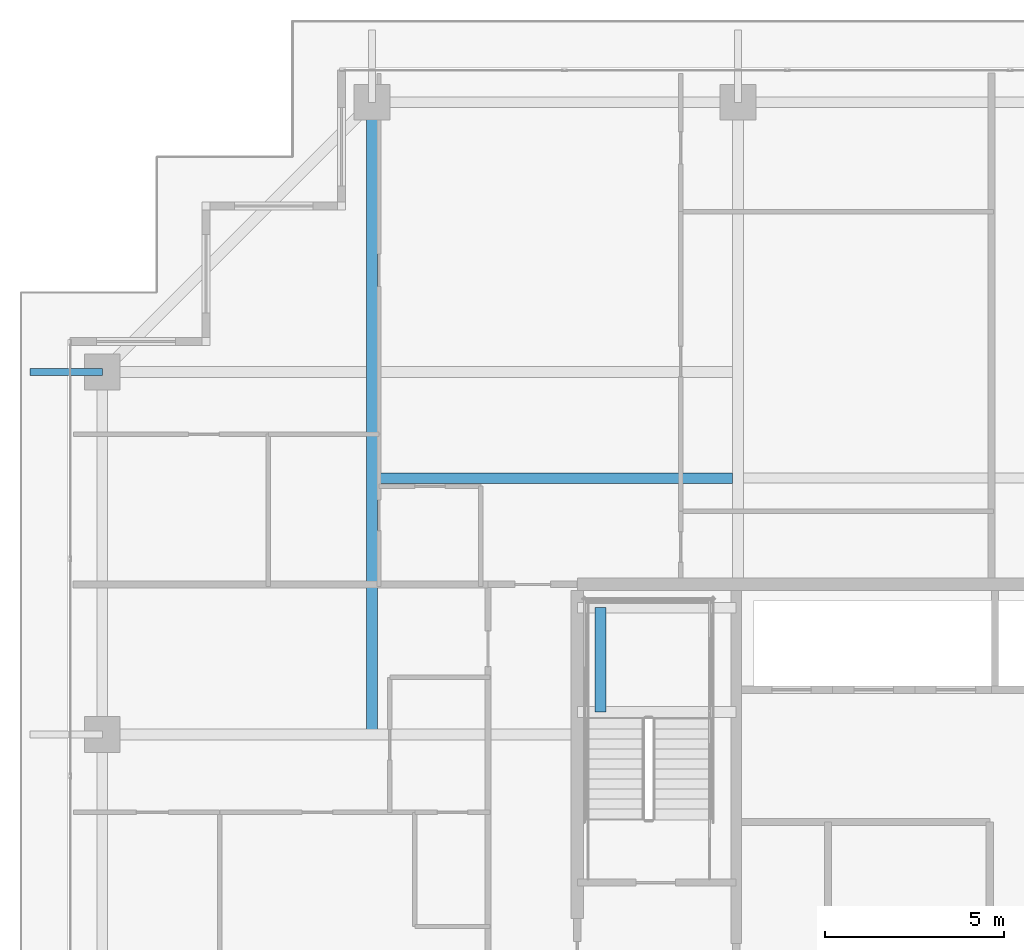
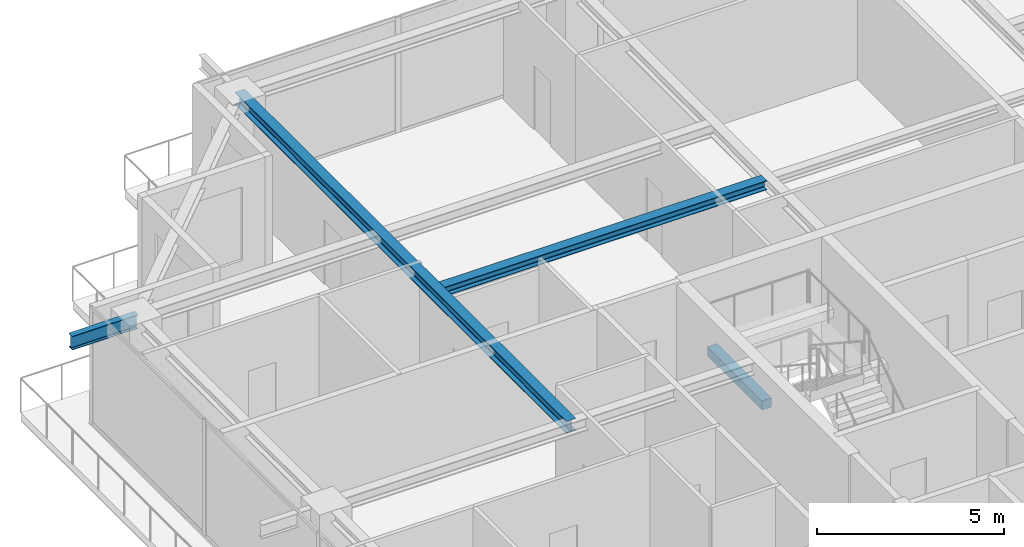
# One storey, part 20 of 42: 4 beams.
"""IFC4 building model written with IfcOpenShell, lengths in metres."""

from ifc_helpers import new_model, si_unit, direction, frame, origin, origin_2d, place, context, subcontext, project, spatial, rectangle, i_section, extrude, source, transform, mapped, material, material_profile, profile_set, type_object, element, save


model = new_model("IFC4")

# Units and contexts
model_context = context("Model", 3, precision=1e-05, world=origin(), true_north=direction((0.0, 1.0)))
body_context = subcontext(model_context, "Body", "Model", "MODEL_VIEW")
ifc_project = project(units=[si_unit("LENGTHUNIT", "METRE"), si_unit("AREAUNIT", "SQUARE_METRE"), si_unit("VOLUMEUNIT", "CUBIC_METRE"), si_unit("PLANEANGLEUNIT", "RADIAN"), si_unit("MASSUNIT", "GRAM", prefix="KILO")], contexts=[model_context])

# Site, building, storey
site_placement = place(None, origin())
site = spatial("IfcSite", under=ifc_project, at=site_placement, CompositionType="ELEMENT")
building_placement = place(site_placement, origin())
building = spatial("IfcBuilding", under=site, at=building_placement, Name="Serunith Strait Residences", CompositionType="ELEMENT")
storey_placement = place(building_placement, frame((0.0, 0.0, 297.5)))
storey = spatial("IfcBuildingStorey", under=building, at=storey_placement, Name="L74", CompositionType="ELEMENT", Elevation=297.5)

# Beams
ifc_material_1 = material(Name="Steel S355J2", Category="steel")
ifc_material_profile_1 = material_profile(ifc_material_1, i_section(OverallWidth=0.300048828125, OverallDepth=0.300048828125, WebThickness=0.010986328125, FlangeThickness=0.01904296875, FilletRadius=0.027099609375, at=origin_2d()), Name="HEB 300")
ifc_profile_set_1 = profile_set([ifc_material_profile_1], Name="Steel S355J2")
beam_type_1 = type_object("IfcBeamType", Name="BM-HEB300", PredefinedType="JOIST", material=ifc_profile_set_1)
shared_shape_1 = source(origin(), body_context, "Body", "SweptSolid", [
    extrude(i_section(OverallWidth=0.300048828125, OverallDepth=0.300048828125, WebThickness=0.010986328125, FlangeThickness=0.01904296875, FilletRadius=0.027099609375, at=origin_2d()), origin(), (0.0, 0.0, 1.0), 9.949951171875),
])
beam_1_placement = place(storey_placement, frame((17.800048828125, 36.574951171875, 3.636962890625), z_axis=(1.0, 0.0, 0.0), x_axis=(0.0, 1.0, 0.0)))
element("IfcBeam", 1, at=beam_1_placement, inside=storey, type_object=beam_type_1, Name="L74 Composite Floor Joist 04", PredefinedType="JOIST", context=body_context, shape_type="MappedRepresentation", body=[
    mapped(shared_shape_1, transform((0.0, 0.0, 0.0), scale=1.0)),
])
ifc_material_profile_2 = material_profile(ifc_material_1, i_section(OverallWidth=0.300048828125, OverallDepth=0.39990234375, WebThickness=0.013427734375, FlangeThickness=0.02392578125, FilletRadius=0.027099609375, at=origin_2d()), Name="HEB 400")
ifc_profile_set_2 = profile_set([ifc_material_profile_2], Name="Steel S355J2")
beam_type_2 = type_object("IfcBeamType", Name="BM-HEB400", PredefinedType="BEAM", material=ifc_profile_set_2)
shared_shape_2 = source(origin(), body_context, "Body", "SweptSolid", [
    extrude(i_section(OverallWidth=0.300048828125, OverallDepth=0.39990234375, WebThickness=0.013427734375, FlangeThickness=0.02392578125, FilletRadius=0.027099609375, at=origin_2d()), origin(), (0.0, 0.0, 1.0), 17.7001953125),
])
beam_2_placement = place(storey_placement, frame((17.64990234375, 29.39990234375, 3.5869140625), z_axis=(0.0, 1.0, 0.0), x_axis=(-1.0, 0.0, 0.0)))
element("IfcBeam", 2, at=beam_2_placement, inside=storey, type_object=beam_type_2, Name="L74 Orthogonal Corner Girder TC-N1", PredefinedType="BEAM", context=body_context, shape_type="MappedRepresentation", body=[
    mapped(shared_shape_2, transform((0.0, 0.0, 0.0), scale=1.0)),
])
ifc_material_profile_3 = material_profile(ifc_material_1, i_section(OverallWidth=0.18994140625, OverallDepth=0.449951171875, WebThickness=0.009521484375, FlangeThickness=0.0146484375, FilletRadius=0.02099609375, at=origin_2d()), Name="IPE 450")
ifc_profile_set_3 = profile_set([ifc_material_profile_3], Name="Steel S355J2")
beam_type_3 = type_object("IfcBeamType", Name="BM-IPE450", PredefinedType="JOIST", material=ifc_profile_set_3)
shared_shape_3 = source(origin(), body_context, "Body", "SweptSolid", [
    extrude(i_section(OverallWidth=0.18994140625, OverallDepth=0.449951171875, WebThickness=0.009521484375, FlangeThickness=0.0146484375, FilletRadius=0.02099609375, at=origin_2d()), origin(), (0.0, 0.0, 1.0), 2.030029296875),
])
beam_3_placement = place(storey_placement, frame((10.10009765625, 39.550048828125, 3.531982421875), z_axis=(-1.0, 0.0, 0.0), x_axis=(0.0, -1.0, 0.0)))
element("IfcBeam", 3, at=beam_3_placement, inside=storey, type_object=beam_type_3, Name="L75 Cantilevered Balcony Rib TC-W4", PredefinedType="JOIST", context=body_context, shape_type="MappedRepresentation", body=[
    mapped(shared_shape_3, transform((0.0, 0.0, 0.0), scale=1.0)),
])
ifc_material_2 = material(Name="Concrete C60/75", Category="concrete")
ifc_material_profile_4 = material_profile(ifc_material_2, rectangle(XDim=0.300048828125, YDim=0.300048828125, at=origin_2d()), Name="RC 300x300")
ifc_profile_set_4 = profile_set([ifc_material_profile_4], Name="Concrete C60/75")
beam_type_4 = type_object("IfcBeamType", Name="BM-LAND-300x300", PredefinedType="BEAM", material=ifc_profile_set_4)
shared_shape_4 = source(origin(), body_context, "Body", "SweptSolid", [
    extrude(rectangle(XDim=0.300048828125, YDim=0.300048828125, at=origin_2d()), origin(), (0.0, 0.0, 1.0), 2.919921875),
])
beam_4_placement = place(storey_placement, frame((24.050048828125, 30.030029296875, 1.675048828125), z_axis=(0.0, 1.0, 0.0), x_axis=(-1.0, 0.0, 0.0)))
element("IfcBeam", 4, at=beam_4_placement, inside=storey, type_object=beam_type_4, Name="L74 ST-1 Landing Transverse Tie Beam", PredefinedType="BEAM", context=body_context, shape_type="MappedRepresentation", body=[
    mapped(shared_shape_4, transform((0.0, 0.0, 0.0), scale=1.0)),
])

save(model, "model.ifc")
